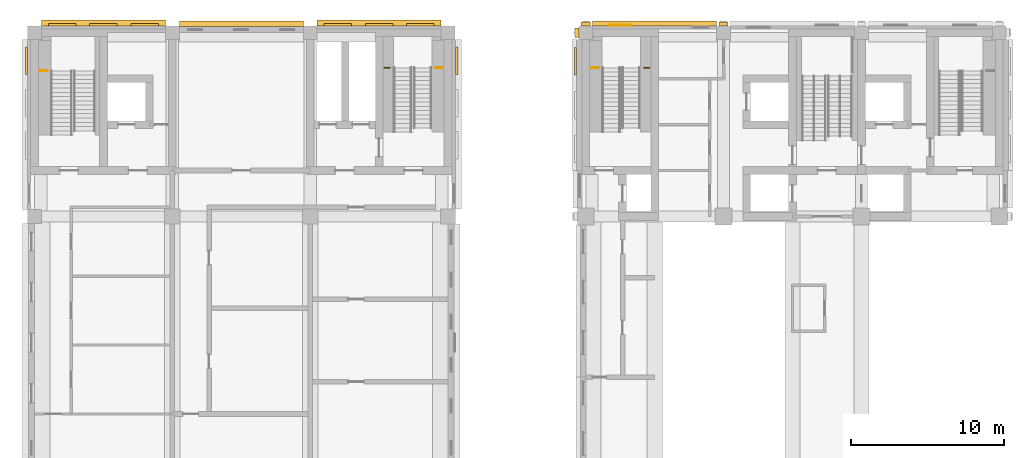
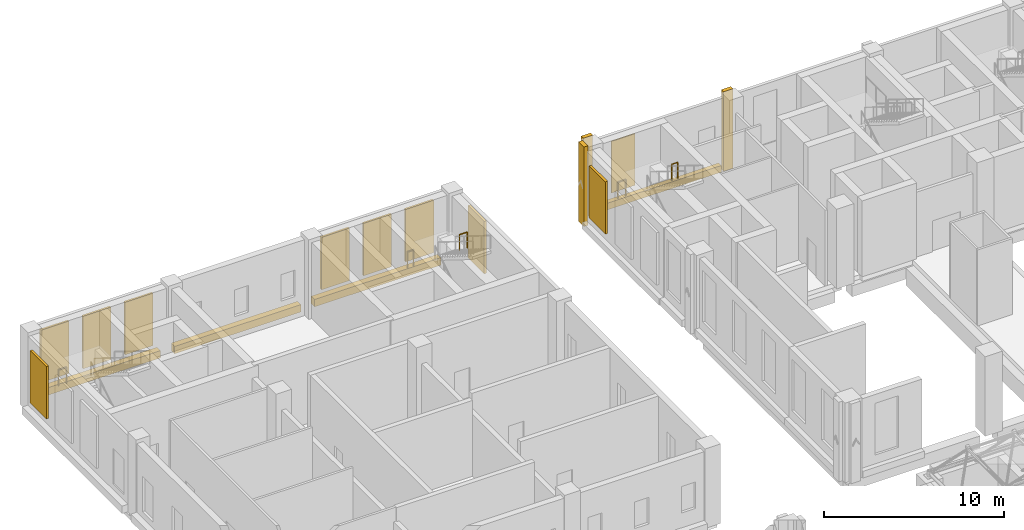
# One storey, part 47 of 53: 17 coverings, 5 railings.
"""IFC4 building model written with IfcOpenShell, lengths in metres."""

from ifc_helpers import new_model, si_unit, direction, frame, origin, origin_2d, place, context, subcontext, project, spatial, rectangle, circle, extrude, material, layer, layer_set, type_object, element, save


model = new_model("IFC4")

# Units and contexts
model_context = context("Model", 3, precision=1e-05, world=origin(), true_north=direction((0.0, 1.0)))
body_context = subcontext(model_context, "Body", "Model", "MODEL_VIEW")
ifc_project = project(units=[si_unit("LENGTHUNIT", "METRE"), si_unit("AREAUNIT", "SQUARE_METRE"), si_unit("VOLUMEUNIT", "CUBIC_METRE"), si_unit("PLANEANGLEUNIT", "RADIAN"), si_unit("MASSUNIT", "GRAM", prefix="KILO")], contexts=[model_context])

# Site, building, storey
site_placement = place(None, origin())
site = spatial("IfcSite", under=ifc_project, at=site_placement, CompositionType="ELEMENT")
building_placement = place(site_placement, origin())
building = spatial("IfcBuilding", under=site, at=building_placement, Name="Aurelan Courthouse", CompositionType="ELEMENT")
storey_placement = place(building_placement, frame((0.0, 0.0, 12.0)))
storey = spatial("IfcBuildingStorey", under=building, at=storey_placement, Name="L02", CompositionType="ELEMENT", Elevation=12.0)

# Coverings
ifc_material_1 = material(Name="Bronze sheet cladding")
ifc_layer_1 = layer(ifc_material_1, 0.06005859375)
ifc_layer_set_1 = layer_set([ifc_layer_1], Name="Bronze sheet cladding")
covering_type_1 = type_object("IfcCoveringType", Name="Courtroom Block blind bay 1500 x 3500", PredefinedType="CLADDING", material=ifc_layer_set_1)
covering_1_placement = place(storey_placement, frame((38.25, 66.47998046875, 1.050048828125), z_axis=(0.0, 0.0, 1.0), x_axis=(1.0, 0.0, 0.0)))
element("IfcCovering", 1, at=covering_1_placement, inside=storey, type_object=covering_type_1, Name="Blind bay BB-V2-L02-001", PredefinedType="CLADDING", context=body_context, shape_type="SweptSolid", body=[
    extrude(rectangle(XDim=1.5, YDim=0.06005859375, at=origin_2d()), origin(), (0.0, 0.0, 1.0), 3.5),
])
ifc_material_2 = material(Name="Limestone cladding", Category="masonry")
covering_type_2 = type_object("IfcCoveringType", Name="Courtroom Block pilaster fin 600 x 250", PredefinedType="CLADDING", material=ifc_material_2)
for number, where, z_axis, x_axis, name in (
    (2, (36.0, 66.574951171875, 0.0), (0.0, 0.0, 1.0), (1.0, 0.0, 0.0), "Pilaster fin FN-V2-003"),
    (3, (45.0, 66.574951171875, 0.0), (0.0, 0.0, 1.0), (1.0, 0.0, 0.0), "Pilaster fin FN-V2-004"),
):
    element("IfcCovering", number, at=place(storey_placement, frame(where, z_axis=z_axis, x_axis=x_axis)), inside=storey, type_object=covering_type_2, Name=name, PredefinedType="CLADDING", context=body_context, shape_type="SweptSolid", body=[
        extrude(rectangle(XDim=0.60009765625, YDim=0.25, at=origin_2d()), origin(), (0.0, 0.0, 1.0), 5.39990234375),
    ])
covering_2_placement = place(storey_placement, frame((35.425048828125, 66.0, 0.0), z_axis=(0.0, 0.0, 1.0), x_axis=(1.0, 0.0, 0.0)))
element("IfcCovering", 4, at=covering_2_placement, inside=storey, type_object=covering_type_2, Name="Pilaster fin FN-V2-011", PredefinedType="CLADDING", context=body_context, shape_type="SweptSolid", body=[
    extrude(rectangle(XDim=0.25, YDim=0.60009765625, at=origin_2d()), origin(), (0.0, 0.0, 1.0), 5.39990234375),
])
covering_type_3 = type_object("IfcCoveringType", Name="Courtroom Block string course 450 x 300", PredefinedType="CLADDING", material=ifc_material_2)
covering_3_placement = place(storey_placement, frame((40.5, 66.60009765625, 0.0), z_axis=(0.0, 0.0, 1.0), x_axis=(1.0, 0.0, 0.0)))
element("IfcCovering", 5, at=covering_3_placement, inside=storey, type_object=covering_type_3, Name="String course SC-V2-008", PredefinedType="CLADDING", context=body_context, shape_type="SweptSolid", body=[
    extrude(rectangle(XDim=8.10009765625, YDim=0.300048828125, at=origin_2d()), origin(), (0.0, 0.0, 1.0), 0.449951171875),
])
covering_type_4 = type_object("IfcCoveringType", Name="Custody Suite string course 500 x 380", PredefinedType="CLADDING", material=ifc_material_2)
for number, where, z_axis, x_axis, name in (
    (6, (13.5, 66.590087890625, 0.0), (0.0, 0.0, 1.0), (1.0, 0.0, 0.0), "String course SC-V6-008"),
    (7, (4.5, 66.639892578125, 0.0), (0.0, 0.0, 1.0), (1.0, 0.0, 0.0), "String course SC-V6-009"),
    (8, (22.5, 66.639892578125, 0.0), (0.0, 0.0, 1.0), (1.0, 0.0, 0.0), "String course SC-V6-010"),
):
    element("IfcCovering", number, at=place(storey_placement, frame(where, z_axis=z_axis, x_axis=x_axis)), inside=storey, type_object=covering_type_4, Name=name, PredefinedType="CLADDING", context=body_context, shape_type="SweptSolid", body=[
        extrude(rectangle(XDim=8.10009765625, YDim=0.3798828125, at=origin_2d()), origin(), (0.0, 0.0, 1.0), 0.5),
    ])
ifc_layer_2 = layer(ifc_material_1, 0.14990234375)
ifc_layer_set_2 = layer_set([ifc_layer_2], Name="Bronze sheet cladding")
covering_type_5 = type_object("IfcCoveringType", Name="Relief panel 1800 x 3550 x 150", PredefinedType="CLADDING", material=ifc_layer_set_2)
for number, where, z_axis, x_axis, name in (
    (9, (35.324951171875, 64.125, 1.0), (0.0, 0.0, 1.0), (1.0, 0.0, 0.0), "Relief panel RP-V2-014"),
    (10, (-0.52490234375, 64.16259765625, 1.0), (0.0, 0.0, 1.0), (1.0, 0.0, 0.0), "Relief panel RP-V6-003"),
    (11, (27.574951171875, 64.168701171875, 1.0), (0.0, 0.0, 1.0), (1.0, 0.0, 0.0), "Relief panel RP-V6-006"),
):
    element("IfcCovering", number, at=place(storey_placement, frame(where, z_axis=z_axis, x_axis=x_axis)), inside=storey, type_object=covering_type_5, Name=name, PredefinedType="CLADDING", context=body_context, shape_type="SweptSolid", body=[
        extrude(rectangle(XDim=0.14990234375, YDim=1.800048828125, at=origin_2d()), origin(), (0.0, 0.0, 1.0), 3.550048828125),
    ])
for number, where, z_axis, x_axis, name in (
    (12, (1.800048828125, 66.52490234375, 1.0), (0.0, 0.0, 1.0), (1.0, 0.0, 0.0), "Relief panel RP-V6-007"),
    (13, (4.5, 66.52490234375, 1.0), (0.0, 0.0, 1.0), (1.0, 0.0, 0.0), "Relief panel RP-V6-008"),
    (14, (7.199951171875, 66.52490234375, 1.0), (0.0, 0.0, 1.0), (1.0, 0.0, 0.0), "Relief panel RP-V6-009"),
    (15, (19.800048828125, 66.52490234375, 1.0), (0.0, 0.0, 1.0), (1.0, 0.0, 0.0), "Relief panel RP-V6-010"),
    (16, (22.5, 66.52490234375, 1.0), (0.0, 0.0, 1.0), (1.0, 0.0, 0.0), "Relief panel RP-V6-011"),
    (17, (25.199951171875, 66.52490234375, 1.0), (0.0, 0.0, 1.0), (1.0, 0.0, 0.0), "Relief panel RP-V6-012"),
):
    element("IfcCovering", number, at=place(storey_placement, frame(where, z_axis=z_axis, x_axis=x_axis)), inside=storey, type_object=covering_type_5, Name=name, PredefinedType="CLADDING", context=body_context, shape_type="SweptSolid", body=[
        extrude(rectangle(XDim=1.800048828125, YDim=0.14990234375, at=origin_2d()), origin(), (0.0, 0.0, 1.0), 3.550048828125),
    ])

# Railings
ifc_material_3 = material(Name="Steel S355", Category="steel")
railing_type = type_object("IfcRailingType", Name="Stair guard 1100", PredefinedType="GUARDRAIL", material=ifc_material_3)
railing_placement = place(storey_placement, frame((36.830078125, 63.7099609375, 2.787109375)))
element("IfcRailing", 18, at=railing_placement, inside=storey, type_object=railing_type, Name="Guard CS-2-L02-GL1", PredefinedType="GUARDRAIL", context=body_context, shape_type="SweptSolid", body=[
    extrude(circle(Radius=0.02392578125, at=origin_2d()), frame((0.0, 0.0, 1.076171875), z_axis=(-1.0, 0.0, 0.0), x_axis=(0.0, -1.0, 0.0)), (0.0, 0.0, 1.0), 0.5),
    extrude(circle(Radius=0.02099609375, at=origin_2d()), origin(), (0.0, 0.0, 1.0), 1.052001953125),
    extrude(circle(Radius=0.02099609375, at=origin_2d()), frame((-0.5, 0.0, 0.0)), (0.0, 0.0, 1.0), 1.052001953125),
])
for number, where, name in (
    (19, (40.169921875, 63.7099609375, 2.787109375), "Guard CS-2-L02-GL2"),
    (20, (23.2099609375, 63.7099609375, 2.787109375), "Guard CS-6-L02-GL1"),
):
    element("IfcRailing", number, at=place(storey_placement, frame(where)), inside=storey, type_object=railing_type, Name=name, PredefinedType="GUARDRAIL", context=body_context, shape_type="SweptSolid", body=[
        extrude(circle(Radius=0.02392578125, at=origin_2d()), frame((0.0, 0.0, 1.076171875), z_axis=(-1.0, 0.0, 0.0), x_axis=(0.0, -1.0, 0.0)), (0.0, 0.0, 1.0), 0.3798828125),
        extrude(circle(Radius=0.02099609375, at=origin_2d()), origin(), (0.0, 0.0, 1.0), 1.052001953125),
        extrude(circle(Radius=0.02099609375, at=origin_2d()), frame((-0.3798828125, 0.0, 0.0)), (0.0, 0.0, 1.0), 1.052001953125),
    ])
for number, where, name in (
    (21, (26.669921875, 63.7099609375, 2.787109375), "Guard CS-6-L02-GL2"),
    (22, (0.830078125, 63.510009765625, 2.787109375), "Guard ST-6-L02-GL1"),
):
    element("IfcRailing", number, at=place(storey_placement, frame(where)), inside=storey, type_object=railing_type, Name=name, PredefinedType="GUARDRAIL", context=body_context, shape_type="SweptSolid", body=[
        extrude(circle(Radius=0.02392578125, at=origin_2d()), frame((0.0, 0.0, 1.076171875), z_axis=(-1.0, 0.0, 0.0), x_axis=(0.0, -1.0, 0.0)), (0.0, 0.0, 1.0), 0.5),
        extrude(circle(Radius=0.02099609375, at=origin_2d()), origin(), (0.0, 0.0, 1.0), 1.052001953125),
        extrude(circle(Radius=0.02099609375, at=origin_2d()), frame((-0.5, 0.0, 0.0)), (0.0, 0.0, 1.0), 1.052001953125),
    ])

save(model, "model.ifc")
